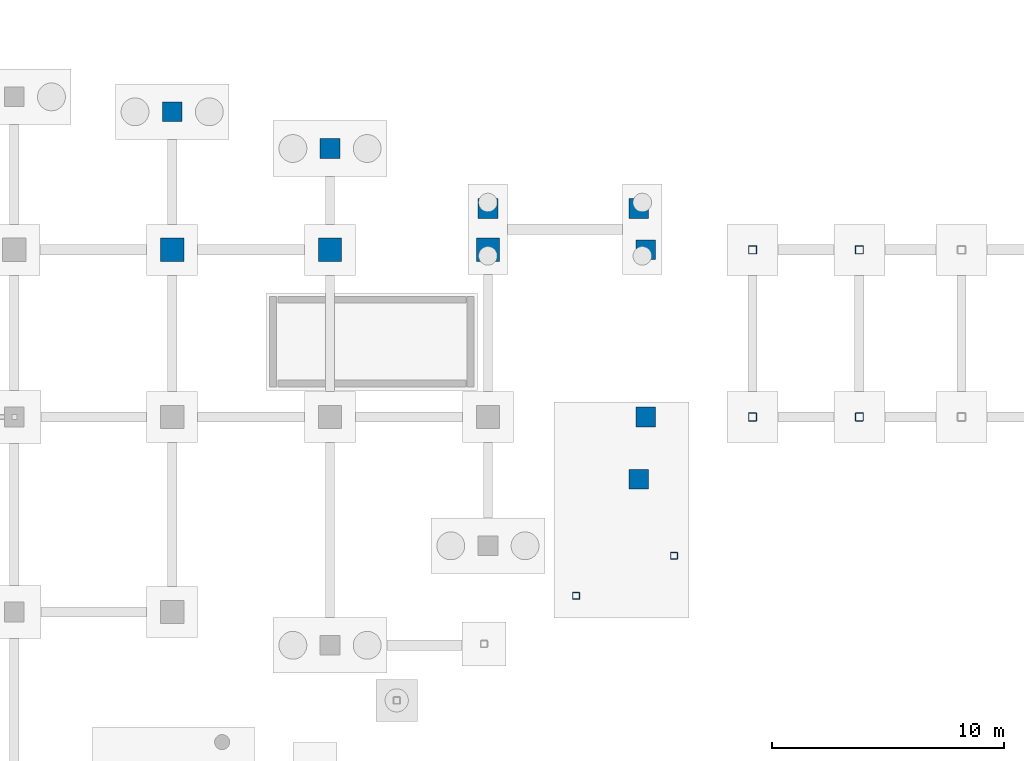
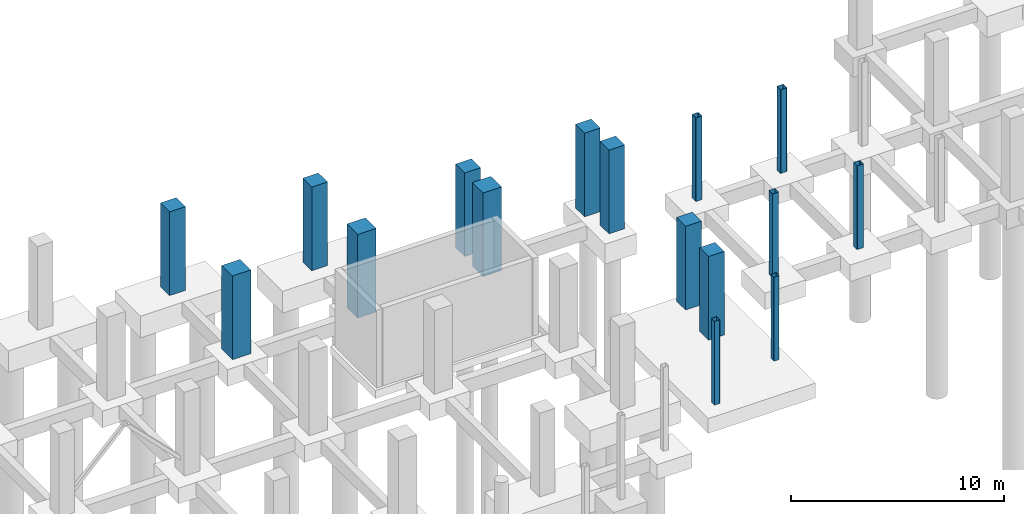
# One storey, part 21 of 44: 16 columns.
"""IFC4 building model written with IfcOpenShell, lengths in metres."""

from ifc_helpers import new_model, si_unit, direction, frame, origin, origin_2d, place, context, subcontext, project, spatial, rectangle, hollow_rectangle, extrude, material, material_profile, profile_set, type_object, element, save


model = new_model("IFC4")

# Units and contexts
model_context = context("Model", 3, precision=1e-05, world=origin(), true_north=direction((0.0, 1.0)))
body_context = subcontext(model_context, "Body", "Model", "MODEL_VIEW")
ifc_project = project(units=[si_unit("LENGTHUNIT", "METRE"), si_unit("AREAUNIT", "SQUARE_METRE"), si_unit("VOLUMEUNIT", "CUBIC_METRE"), si_unit("PLANEANGLEUNIT", "RADIAN"), si_unit("MASSUNIT", "GRAM", prefix="KILO")], contexts=[model_context])

# Site, building, storey
site_placement = place(None, origin())
site = spatial("IfcSite", under=ifc_project, at=site_placement, CompositionType="ELEMENT")
building_placement = place(site_placement, origin())
building = spatial("IfcBuilding", under=site, at=building_placement, Name="Kisaragi Civic Commons", CompositionType="ELEMENT")
storey_placement = place(building_placement, frame((0.0, 0.0, -4.800048828125)))
storey = spatial("IfcBuildingStorey", under=building, at=storey_placement, Name="B1", CompositionType="ELEMENT", Elevation=-4.800048828125)

# Columns
ifc_material_1 = material(Name="Concrete Fc36", Category="concrete")
ifc_material_profile_1 = material_profile(ifc_material_1, rectangle(XDim=0.85009765625, YDim=0.85009765625, at=origin_2d()), Name="RC-850x850", Category="concrete")
ifc_profile_set_1 = profile_set([ifc_material_profile_1], Name="Concrete Fc36")
column_type_1 = type_object("IfcColumnType", Name="C-05", PredefinedType="COLUMN", material=ifc_profile_set_1)
for number, where, z_axis, x_axis, name in (
    (1, (34.0, 117.5458984375, 0.0), (0.0, 0.0, 1.0), (1.0, 0.0, 0.0), "B1 column C-05 (34.0,117.5)"),
    (2, (40.800048828125, 115.964111328125, 0.0), (0.0, 0.0, 1.0), (1.0, 0.0, 0.0), "B1 column C-05 (40.8,116.0)"),
    (3, (47.60009765625, 113.3798828125, 0.0), (0.0, 0.0, 1.0), (1.0, 0.0, 0.0), "B1 column C-05 (47.6,113.4)"),
    (4, (54.10009765625, 101.720458984375, 0.0), (0.0, 0.0, 1.0), (1.0, 0.0, 0.0), "B1 column C-05 (54.1,101.7)"),
    (5, (54.10009765625, 113.3798828125, 0.0), (0.0, 0.0, 1.0), (1.0, 0.0, 0.0), "B1 column C-05 (54.1,113.4)"),
    (6, (54.39990234375, 104.39990234375, 0.0), (0.0, 0.0, 1.0), (1.0, 0.0, 0.0), "B1 column C-05 (54.4,104.4)"),
    (7, (54.39990234375, 111.60009765625, 0.0), (0.0, 0.0, 1.0), (1.0, 0.0, 0.0), "B1 column C-05 (54.4,111.6)"),
):
    element("IfcColumn", number, at=place(storey_placement, frame(where, z_axis=z_axis, x_axis=x_axis)), inside=storey, type_object=column_type_1, Name=name, PredefinedType="COLUMN", context=body_context, shape_type="SweptSolid", body=[
        extrude(rectangle(XDim=0.85009765625, YDim=0.85009765625, at=origin_2d()), origin(), (0.0, 0.0, 1.0), 4.800048828125),
    ])
ifc_material_2 = material(Name="Steel BCR295", Category="steel")
ifc_material_profile_2 = material_profile(ifc_material_2, hollow_rectangle(XDim=0.35009765625, YDim=0.35009765625, WallThickness=0.011962890625, InnerFilletRadius=0.011962890625, OuterFilletRadius=0.02392578125, at=origin_2d()), Name="BCR-350x350x12", Category="steel")
ifc_profile_set_2 = profile_set([ifc_material_profile_2], Name="Steel BCR295")
column_type_2 = type_object("IfcColumnType", Name="C-13", PredefinedType="COLUMN", material=ifc_profile_set_2)
for number, where, z_axis, x_axis, name in (
    (8, (59.0, 104.39990234375, 0.0), (0.0, 0.0, 1.0), (1.0, 0.0, 0.0), "B1 column C-13 (59.0,104.4)"),
    (9, (59.0, 111.60009765625, 0.0), (0.0, 0.0, 1.0), (1.0, 0.0, 0.0), "B1 column C-13 (59.0,111.6)"),
    (10, (63.60009765625, 104.39990234375, 0.0), (0.0, 0.0, 1.0), (1.0, 0.0, 0.0), "B1 column C-13 (63.6,104.4)"),
    (11, (63.60009765625, 111.60009765625, 0.0), (0.0, 0.0, 1.0), (1.0, 0.0, 0.0), "B1 column C-13 (63.6,111.6)"),
):
    element("IfcColumn", number, at=place(storey_placement, frame(where, z_axis=z_axis, x_axis=x_axis)), inside=storey, type_object=column_type_2, Name=name, PredefinedType="COLUMN", context=body_context, shape_type="SweptSolid", body=[
        extrude(hollow_rectangle(XDim=0.35009765625, YDim=0.35009765625, WallThickness=0.011962890625, InnerFilletRadius=0.011962890625, OuterFilletRadius=0.02392578125, at=origin_2d()), origin(), (0.0, 0.0, 1.0), 4.800048828125),
    ])
ifc_material_profile_3 = material_profile(ifc_material_2, hollow_rectangle(XDim=0.300048828125, YDim=0.300048828125, WallThickness=0.012939453125, InnerFilletRadius=0.012939453125, OuterFilletRadius=0.02587890625, at=origin_2d()), Name="BCR-300x300x13", Category="steel")
ifc_profile_set_3 = profile_set([ifc_material_profile_3], Name="Steel BCR295")
column_type_3 = type_object("IfcColumnType", Name="C-15", PredefinedType="COLUMN", material=ifc_profile_set_3)
for number, where, z_axis, x_axis, name in (
    (12, (51.401611328125, 96.698486328125, 0.0), (0.0, 0.0, 1.0), (1.0, 0.0, 0.0), "B1 column C-15 (51.4,96.7)"),
    (13, (55.617919921875, 98.425537109375, 0.0), (0.0, 0.0, 1.0), (1.0, 0.0, 0.0), "B1 column C-15 (55.6,98.4)"),
):
    element("IfcColumn", number, at=place(storey_placement, frame(where, z_axis=z_axis, x_axis=x_axis)), inside=storey, type_object=column_type_3, Name=name, PredefinedType="COLUMN", context=body_context, shape_type="SweptSolid", body=[
        extrude(hollow_rectangle(XDim=0.300048828125, YDim=0.300048828125, WallThickness=0.012939453125, InnerFilletRadius=0.012939453125, OuterFilletRadius=0.02587890625, at=origin_2d()), origin(), (0.0, 0.0, 1.0), 4.800048828125),
    ])
ifc_material_profile_4 = material_profile(ifc_material_1, rectangle(XDim=1.0, YDim=1.0, at=origin_2d()), Name="RC-1000x1000", Category="concrete")
ifc_profile_set_4 = profile_set([ifc_material_profile_4], Name="Concrete Fc36")
column_type_4 = type_object("IfcColumnType", Name="C-22", PredefinedType="COLUMN", material=ifc_profile_set_4)
for number, where, z_axis, x_axis, name in (
    (14, (34.0, 111.60009765625, 0.0), (0.0, 0.0, 1.0), (1.0, 0.0, 0.0), "B1 column C-22 (34.0,111.6)"),
    (15, (40.800048828125, 111.60009765625, 0.0), (0.0, 0.0, 1.0), (1.0, 0.0, 0.0), "B1 column C-22 (40.8,111.6)"),
    (16, (47.60009765625, 111.60009765625, 0.0), (0.0, 0.0, 1.0), (1.0, 0.0, 0.0), "B1 column C-22 (47.6,111.6)"),
):
    element("IfcColumn", number, at=place(storey_placement, frame(where, z_axis=z_axis, x_axis=x_axis)), inside=storey, type_object=column_type_4, Name=name, PredefinedType="COLUMN", context=body_context, shape_type="SweptSolid", body=[
        extrude(rectangle(XDim=1.0, YDim=1.0, at=origin_2d()), origin(), (0.0, 0.0, 1.0), 4.800048828125),
    ])

save(model, "model.ifc")
